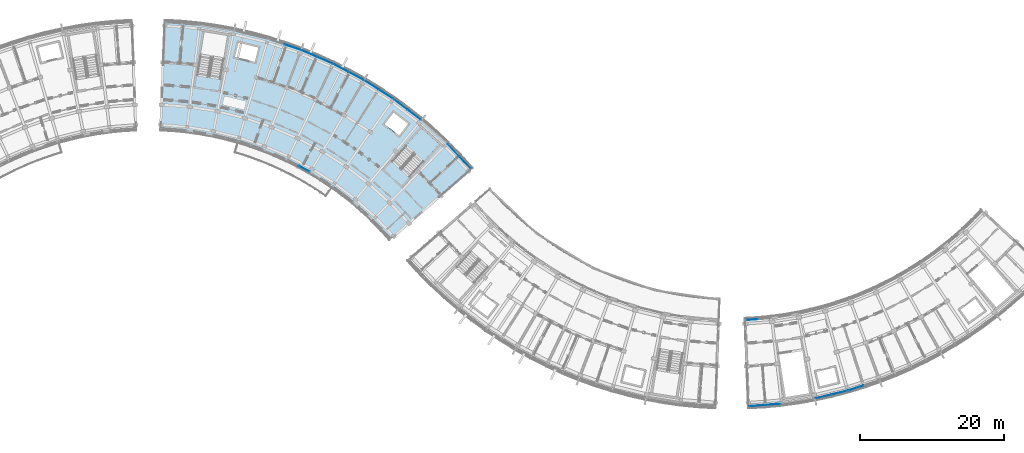
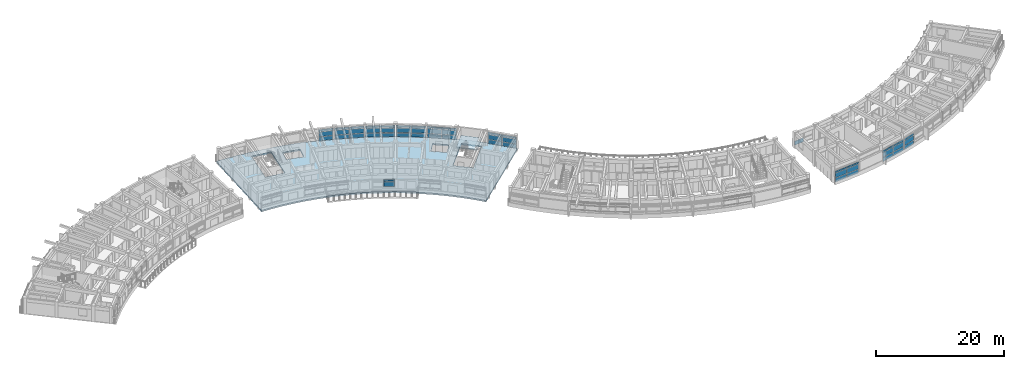
# One storey, part 24 of 54: 51 plates, 2 slabs, 12 elements without a shape of their own.
"""IFC4 building model written with IfcOpenShell, lengths in metres."""

import ifcopenshell
import ifcopenshell.guid

model = None  # the IFC model being written
_history = None  # IfcOwnerHistory: only IFC2X3 demands one
_inside = {}  # id of a spatial element -> (the spatial element, [elements in it])
_under = {}  # id of a project, library or spatial element -> (it, [spatial elements below it])
_declared = {}  # id of a project -> (the project, [libraries it declares])
_typed = {}  # id of a type object -> (the type object, [elements of that type])
_made_of = {}  # id of a material, layer set ... -> (it, [elements and type objects made of it])


def new_model(schema):
    """Start an empty IFC model of exactly this schema.

    Asked for "IFC4X3", IfcOpenShell would pick the latest addendum, in which some entities
    have other attributes; the version numbers below select the first issue.
    IFC2X3 requires an IfcOwnerHistory on every rooted entity: one is made here for all.
    """
    global model, _history
    if schema == "IFC4X3":
        model = ifcopenshell.file(schema_version=(4, 3, 0, 0))
    else:
        model = ifcopenshell.file(schema=schema)
    _inside.clear()
    _under.clear()
    _declared.clear()
    _typed.clear()
    _made_of.clear()
    _history = None
    if model.schema == "IFC2X3":
        org = make("IfcOrganization", Name="unknown")
        user = make(
            "IfcPersonAndOrganization",
            ThePerson=make("IfcPerson", FamilyName="unknown"),
            TheOrganization=org,
        )
        app = make(
            "IfcApplication",
            ApplicationDeveloper=org,
            Version="unknown",
            ApplicationFullName="unknown",
            ApplicationIdentifier="unknown",
        )
        _history = make(
            "IfcOwnerHistory",
            OwningUser=user,
            OwningApplication=app,
            ChangeAction="ADDED",
            CreationDate=0,
        )
    return model


def make(cls, **values):
    """One entity of the class cls with the attributes given. An attribute that is None is left unset."""
    return model.create_entity(
        cls, **{name: value for name, value in values.items() if value is not None}
    )


def rooted(cls, **values):
    """An entity with a GlobalId (a new one), such as an element, a storey or a relation."""
    return make(cls, GlobalId=ifcopenshell.guid.new(), OwnerHistory=_history, **values)


def si_unit(unit_type, name, prefix=None):
    """IfcSIUnit, for example si_unit("LENGTHUNIT", "METRE", prefix="MILLI")."""
    return make("IfcSIUnit", UnitType=unit_type, Prefix=prefix, Name=name)


def assignment(units):
    """IfcUnitAssignment: the units of a project."""
    return None if units is None else make("IfcUnitAssignment", Units=units)


def point(xyz):
    """IfcCartesianPoint."""
    return None if xyz is None else make("IfcCartesianPoint", Coordinates=xyz)


def direction(xyz):
    """IfcDirection."""
    return None if xyz is None else make("IfcDirection", DirectionRatios=xyz)


def frame(location, z_axis=None, x_axis=None):
    """IfcAxis2Placement3D, a coordinate frame: its origin and axes. An axis left out is left unset."""
    return make(
        "IfcAxis2Placement3D",
        Location=point(location),
        Axis=direction(z_axis),
        RefDirection=direction(x_axis),
    )


def frame_2d(location, x_axis=None):
    """IfcAxis2Placement2D, a coordinate frame in the plane: its origin and x axis."""
    return make(
        "IfcAxis2Placement2D", Location=point(location), RefDirection=direction(x_axis)
    )


def origin():
    """The frame at (0, 0, 0) with its axes left unset."""
    return frame((0.0, 0.0, 0.0))


def origin_2d():
    """The frame at (0, 0) in the plane with its x axis left unset."""
    return frame_2d((0.0, 0.0))


def place(relative_to, where):
    """IfcLocalPlacement: puts the frame where relative to a parent placement (None: the world)."""
    return make(
        "IfcLocalPlacement", PlacementRelTo=relative_to, RelativePlacement=where
    )


def context(
    kind, dimensions, precision=None, world=None, true_north=None, identifier=None
):
    """IfcGeometricRepresentationContext, for example the 3D "Model" context."""
    return make(
        "IfcGeometricRepresentationContext",
        ContextIdentifier=identifier,
        ContextType=kind,
        CoordinateSpaceDimension=dimensions,
        Precision=precision,
        WorldCoordinateSystem=world,
        TrueNorth=true_north,
    )


def subcontext(parent, identifier, kind, view, scale=None):
    """IfcGeometricRepresentationSubContext, for example "Body" below "Model"."""
    return make(
        "IfcGeometricRepresentationSubContext",
        ContextIdentifier=identifier,
        ContextType=kind,
        ParentContext=parent,
        TargetScale=scale,
        TargetView=view,
    )


def project(units=None, contexts=None):
    """IfcProject with its units and contexts."""
    return rooted(
        "IfcProject",
        Name="project",
        RepresentationContexts=contexts,
        UnitsInContext=assignment(units),
    )


def spatial(cls, under=None, at=None, **own):
    """A site, building, storey or space (cls), placed at a placement, below another one or the project."""
    s = rooted(cls, ObjectPlacement=at, **own)
    if under is not None:
        _under.setdefault(under.id(), (under, []))[1].append(s)
    return s


def polyline(points):
    """IfcPolyline through the points."""
    return make("IfcPolyline", Points=[point(p) for p in points])


def profile(cls, at=None, kind="AREA", **sizes):
    """A parametric profile (cls). Its sizes go by their IFC names, for example OverallWidth=200.0."""
    return make(cls, ProfileType=kind, Position=at, **sizes)


def rectangle(**sizes):
    """IfcRectangleProfileDef."""
    return profile("IfcRectangleProfileDef", **sizes)


def outline(outer, holes=None, kind="AREA"):
    """IfcArbitraryClosedProfileDef: a profile drawn as a closed curve; with holes, ...WithVoids."""
    if holes is None:
        return make("IfcArbitraryClosedProfileDef", ProfileType=kind, OuterCurve=outer)
    return make(
        "IfcArbitraryProfileDefWithVoids",
        ProfileType=kind,
        OuterCurve=outer,
        InnerCurves=holes,
    )


def extrude(swept, where, along, depth):
    """IfcExtrudedAreaSolid: the profile swept, set in the frame where, extruded along a direction by depth."""
    return make(
        "IfcExtrudedAreaSolid",
        SweptArea=swept,
        Position=where,
        ExtrudedDirection=direction(along),
        Depth=depth,
    )


def shape(context_of_items, identifier, shape_type, items):
    """IfcShapeRepresentation: the items that make up one representation, for example the "Body"."""
    return make(
        "IfcShapeRepresentation",
        ContextOfItems=context_of_items,
        RepresentationIdentifier=identifier,
        RepresentationType=shape_type,
        Items=items,
    )


def material(Name=None, Category=None):
    """IfcMaterial."""
    return make("IfcMaterial", Name=Name, Category=Category)


def layer(
    of_material, thickness, ventilated=None, Name=None, Category=None, Priority=None
):
    """IfcMaterialLayer: one layer of a wall or slab, of a material (None: an air gap)."""
    return make(
        "IfcMaterialLayer",
        Material=of_material,
        LayerThickness=thickness,
        IsVentilated=ventilated,
        Name=Name,
        Category=Category,
        Priority=Priority,
    )


def layer_set(layers, Name=None):
    """IfcMaterialLayerSet."""
    return make("IfcMaterialLayerSet", MaterialLayers=layers, LayerSetName=Name)


def made_of(thing, what):
    """Note that an element or type object is made of a material, layer set ...; save() writes the relation."""
    if what is not None:
        _made_of.setdefault(what.id(), (what, []))[1].append(thing)
    return thing


def type_object(cls, material=None, **own):
    """A type object (cls), such as IfcWallType, which elements share."""
    return made_of(rooted(cls, **own), material)


def element(
    cls,
    number,
    at=None,
    inside=None,
    cuts=None,
    type_object=None,
    material=None,
    context=None,
    identifier="Body",
    shape_type=None,
    held_by="IfcProductDefinitionShape",
    body=None,
    shapes=None,
    **own,
):
    """One element of the class cls, such as IfcWall. Its Tag is "e" and its number.

    at: its placement. inside: the storey or other place that contains it. cuts: it is an
    opening in that element (IfcRelVoidsElement). A single representation is given by context,
    identifier, shape_type and body (its items); several are given by shapes. held_by: the class
    of the entity that holds the representations. save() writes the other relations.
    """
    e = rooted(cls, Tag="e%d" % number, ObjectPlacement=at, **own)
    if body is not None:
        shapes = [shape(context, identifier, shape_type, body)]
    if shapes is not None:
        e.Representation = make(held_by, Representations=shapes)
    if inside is not None:
        _inside.setdefault(inside.id(), (inside, []))[1].append(e)
    if cuts is not None:
        rooted(
            "IfcRelVoidsElement", RelatingBuildingElement=cuts, RelatedOpeningElement=e
        )
    if type_object is not None:
        _typed.setdefault(type_object.id(), (type_object, []))[1].append(e)
    return made_of(e, material)


def aggregate(whole, parts):
    """IfcRelAggregates: a whole, such as a stair, and the parts it consists of."""
    return rooted("IfcRelAggregates", RelatingObject=whole, RelatedObjects=parts)


def save(model, path):
    """Write the relations noted so far, then the file.

    IfcRelAggregates (storeys below a building ...), IfcRelContainedInSpatialStructure (elements
    in a storey), IfcRelDefinesByType, IfcRelAssociatesMaterial and IfcRelDeclares: one each for
    every whole, place, type object, material and project.
    """
    for whole, parts in _under.values():
        aggregate(whole, parts)
    for where, things in _inside.values():
        rooted(
            "IfcRelContainedInSpatialStructure",
            RelatedElements=things,
            RelatingStructure=where,
        )
    for kind, things in _typed.values():
        rooted("IfcRelDefinesByType", RelatedObjects=things, RelatingType=kind)
    for what, things in _made_of.values():
        rooted("IfcRelAssociatesMaterial", RelatedObjects=things, RelatingMaterial=what)
    for by, libraries in _declared.values():
        rooted("IfcRelDeclares", RelatingContext=by, RelatedDefinitions=libraries)
    model.write(path)


model = new_model("IFC4")

# Units and contexts
model_context = context("Model", 3, precision=1e-05, world=origin(), true_north=direction((0.0, 1.0)))
body_context = subcontext(model_context, "Body", "Model", "MODEL_VIEW")
ifc_project = project(units=[si_unit("LENGTHUNIT", "METRE"), si_unit("AREAUNIT", "SQUARE_METRE"), si_unit("VOLUMEUNIT", "CUBIC_METRE"), si_unit("PLANEANGLEUNIT", "RADIAN"), si_unit("MASSUNIT", "GRAM", prefix="KILO")], contexts=[model_context])

# Site, building, storey
site_placement = place(None, origin())
site = spatial("IfcSite", under=ifc_project, at=site_placement, CompositionType="ELEMENT")
building_placement = place(site_placement, origin())
building = spatial("IfcBuilding", under=site, at=building_placement, Name="Zimvara Arc Housing Community", CompositionType="ELEMENT")
storey_placement = place(building_placement, frame((0.0, 0.0, 23.60009765625)))
storey = spatial("IfcBuildingStorey", under=building, at=storey_placement, Name="L07", CompositionType="ELEMENT", Elevation=23.60009765625)

# Curtain wall, plates
ifc_material_1 = material(Name="Anodised Aluminium AW-6063", Category="aluminium")
curtain_wall_type_1 = type_object("IfcCurtainWallType", Name="CW-SYS-08", PredefinedType="USERDEFINED", material=ifc_material_1)
curtain_wall_1_placement = place(storey_placement, origin())
curtain_wall_1 = element("IfcCurtainWall", 1, at=curtain_wall_1_placement, inside=storey, type_object=curtain_wall_type_1, Name="cw:blkB:L07:out:b6", ObjectType="CURTAIN WALL", PredefinedType="USERDEFINED")
ifc_material_2 = material(Name="Pale-Gold Anodised Aluminium Spandrel Panel", Category="aluminium")
ifc_layer_1 = layer(ifc_material_2, 0.035888671875)
ifc_layer_set_1 = layer_set([ifc_layer_1], Name="Pale-Gold Anodised Aluminium Spandrel Panel")
plate_type_1 = type_object("IfcPlateType", Name="CWP-GLD-36", PredefinedType="CURTAIN_PANEL", material=ifc_layer_set_1)
plate_1_placement = place(storey_placement, frame((76.0009765625, 95.1005859375, 0.06494140625), z_axis=(0.0, 0.0, 1.0), x_axis=(0.842264410931, -0.539064617721, 0.0)))
plate_1 = element("IfcPlate", 2, at=plate_1_placement, type_object=plate_type_1, Name="CW08 panel 1.1", PredefinedType="CURTAIN_PANEL", context=body_context, shape_type="SweptSolid", body=[
    extrude(rectangle(XDim=2.266845703125, YDim=0.035888671875, at=origin_2d()), origin(), (0.0, 0.0, 1.0), 0.75244140625),
])
plate_2_placement = place(storey_placement, frame((76.0009765625, 95.1005859375, 0.88232421875), z_axis=(0.0, 0.0, 1.0), x_axis=(0.842264410931, -0.539064617721, 0.0)))
plate_2 = element("IfcPlate", 3, at=plate_2_placement, type_object=plate_type_1, Name="CW08 panel 1.2", PredefinedType="CURTAIN_PANEL", context=body_context, shape_type="SweptSolid", body=[
    extrude(rectangle(XDim=2.266845703125, YDim=0.035888671875, at=origin_2d()), origin(), (0.0, 0.0, 1.0), 0.885009765625),
])
plate_3_placement = place(storey_placement, frame((76.0009765625, 95.1005859375, 1.832275390625), z_axis=(0.0, 0.0, 1.0), x_axis=(0.842264410931, -0.539064617721, 0.0)))
plate_3 = element("IfcPlate", 4, at=plate_3_placement, type_object=plate_type_1, Name="CW08 panel 1.3", PredefinedType="CURTAIN_PANEL", context=body_context, shape_type="SweptSolid", body=[
    extrude(rectangle(XDim=2.266845703125, YDim=0.035888671875, at=origin_2d()), origin(), (0.0, 0.0, 1.0), 0.3525390625),
])
plate_4_placement = place(storey_placement, frame((77.965087890625, 93.843505859375, 0.06494140625), z_axis=(0.0, 0.0, 1.0), x_axis=(0.842264410931, -0.539064617721, 0.0)))
plate_4 = element("IfcPlate", 5, at=plate_4_placement, type_object=plate_type_1, Name="CW08 panel 2.1", PredefinedType="CURTAIN_PANEL", context=body_context, shape_type="SweptSolid", body=[
    extrude(rectangle(XDim=2.266845703125, YDim=0.035888671875, at=origin_2d()), origin(), (0.0, 0.0, 1.0), 0.75244140625),
])
plate_5_placement = place(storey_placement, frame((77.965087890625, 93.843505859375, 0.88232421875), z_axis=(0.0, 0.0, 1.0), x_axis=(0.842264410931, -0.539064617721, 0.0)))
plate_5 = element("IfcPlate", 6, at=plate_5_placement, type_object=plate_type_1, Name="CW08 panel 2.2", PredefinedType="CURTAIN_PANEL", context=body_context, shape_type="SweptSolid", body=[
    extrude(rectangle(XDim=2.266845703125, YDim=0.035888671875, at=origin_2d()), origin(), (0.0, 0.0, 1.0), 0.885009765625),
])
plate_6_placement = place(storey_placement, frame((77.965087890625, 93.843505859375, 1.832275390625), z_axis=(0.0, 0.0, 1.0), x_axis=(0.842264410931, -0.539064617721, 0.0)))
plate_6 = element("IfcPlate", 7, at=plate_6_placement, type_object=plate_type_1, Name="CW08 panel 2.3", PredefinedType="CURTAIN_PANEL", context=body_context, shape_type="SweptSolid", body=[
    extrude(rectangle(XDim=2.266845703125, YDim=0.035888671875, at=origin_2d()), origin(), (0.0, 0.0, 1.0), 0.3525390625),
])
aggregate(curtain_wall_1, [plate_1, plate_2, plate_3, plate_4, plate_5, plate_6])

# Curtain wall, plate
curtain_wall_2_placement = place(storey_placement, origin())
curtain_wall_2 = element("IfcCurtainWall", 8, at=curtain_wall_2_placement, inside=storey, type_object=curtain_wall_type_1, Name="cw:blkD:L07:in:b0", ObjectType="CURTAIN WALL", PredefinedType="USERDEFINED")
plate_7_placement = place(storey_placement, frame((128.7744140625, 62.55078125, 0.06494140625), z_axis=(0.0, 0.0, 1.0), x_axis=(0.996985524455, 0.077587782714, 0.0)))
plate_7 = element("IfcPlate", 9, at=plate_7_placement, type_object=plate_type_1, Name="CW08 panel 1.1", PredefinedType="CURTAIN_PANEL", context=body_context, shape_type="SweptSolid", body=[
    extrude(rectangle(XDim=1.7041015625, YDim=0.035888671875, at=origin_2d()), origin(), (0.0, 0.0, 1.0), 0.75244140625),
])
aggregate(curtain_wall_2, [plate_7])

# Curtain wall, plates
ifc_material_3 = material(Name="Anodised Aluminium AW-6063", Category="aluminium")
curtain_wall_type_2 = type_object("IfcCurtainWallType", Name="CW-SYS-05", PredefinedType="USERDEFINED", material=ifc_material_3)
curtain_wall_3_placement = place(storey_placement, origin())
curtain_wall_3 = element("IfcCurtainWall", 10, at=curtain_wall_3_placement, inside=storey, type_object=curtain_wall_type_2, Name="cw:blkB:L07:out:b4", ObjectType="CURTAIN WALL", PredefinedType="USERDEFINED")
ifc_material_4 = material(Name="Solar Control Low-E Double Glazing", Category="glass")
ifc_layer_2 = layer(ifc_material_4, 0.02392578125)
ifc_layer_set_2 = layer_set([ifc_layer_2], Name="Solar Control Low-E Double Glazing")
plate_type_2 = type_object("IfcPlateType", Name="CWP-GLZ-24", PredefinedType="CURTAIN_PANEL", material=ifc_layer_set_2)
plate_8_placement = place(storey_placement, frame((67.358642578125, 99.46875, 0.06494140625), z_axis=(0.0, 0.0, 1.0), x_axis=(0.918722299363, -0.394904211998, 0.0)))
plate_8 = element("IfcPlate", 11, at=plate_8_placement, type_object=plate_type_2, Name="CW05 panel 1.1", PredefinedType="CURTAIN_PANEL", context=body_context, shape_type="SweptSolid", body=[
    extrude(rectangle(XDim=2.266845703125, YDim=0.02392578125, at=origin_2d()), origin(), (0.0, 0.0, 1.0), 0.75244140625),
])
plate_9_placement = place(storey_placement, frame((67.358642578125, 99.46875, 0.88232421875), z_axis=(0.0, 0.0, 1.0), x_axis=(0.918722299363, -0.394904211998, 0.0)))
plate_9 = element("IfcPlate", 12, at=plate_9_placement, type_object=plate_type_2, Name="CW05 panel 1.2", PredefinedType="CURTAIN_PANEL", context=body_context, shape_type="SweptSolid", body=[
    extrude(rectangle(XDim=2.266845703125, YDim=0.02392578125, at=origin_2d()), origin(), (0.0, 0.0, 1.0), 0.885009765625),
])
plate_10_placement = place(storey_placement, frame((67.358642578125, 99.46875, 1.832275390625), z_axis=(0.0, 0.0, 1.0), x_axis=(0.918722299363, -0.394904211998, 0.0)))
plate_10 = element("IfcPlate", 13, at=plate_10_placement, type_object=plate_type_2, Name="CW05 panel 1.3", PredefinedType="CURTAIN_PANEL", context=body_context, shape_type="SweptSolid", body=[
    extrude(rectangle(XDim=2.266845703125, YDim=0.02392578125, at=origin_2d()), origin(), (0.0, 0.0, 1.0), 0.3525390625),
])
plate_11_placement = place(storey_placement, frame((69.5009765625, 98.5478515625, 0.06494140625), z_axis=(0.0, 0.0, 1.0), x_axis=(0.918722299363, -0.394904211998, 0.0)))
plate_11 = element("IfcPlate", 14, at=plate_11_placement, type_object=plate_type_2, Name="CW05 panel 2.1", PredefinedType="CURTAIN_PANEL", context=body_context, shape_type="SweptSolid", body=[
    extrude(rectangle(XDim=2.266845703125, YDim=0.02392578125, at=origin_2d()), origin(), (0.0, 0.0, 1.0), 0.75244140625),
])
plate_12_placement = place(storey_placement, frame((69.5009765625, 98.5478515625, 0.88232421875), z_axis=(0.0, 0.0, 1.0), x_axis=(0.918722299363, -0.394904211998, 0.0)))
plate_12 = element("IfcPlate", 15, at=plate_12_placement, type_object=plate_type_2, Name="CW05 panel 2.2", PredefinedType="CURTAIN_PANEL", context=body_context, shape_type="SweptSolid", body=[
    extrude(rectangle(XDim=2.266845703125, YDim=0.02392578125, at=origin_2d()), origin(), (0.0, 0.0, 1.0), 0.885009765625),
])
plate_13_placement = place(storey_placement, frame((69.5009765625, 98.5478515625, 1.832275390625), z_axis=(0.0, 0.0, 1.0), x_axis=(0.918722299363, -0.394904211998, 0.0)))
plate_13 = element("IfcPlate", 16, at=plate_13_placement, type_object=plate_type_2, Name="CW05 panel 2.3", PredefinedType="CURTAIN_PANEL", context=body_context, shape_type="SweptSolid", body=[
    extrude(rectangle(XDim=2.266845703125, YDim=0.02392578125, at=origin_2d()), origin(), (0.0, 0.0, 1.0), 0.3525390625),
])
aggregate(curtain_wall_3, [plate_8, plate_9, plate_10, plate_11, plate_12, plate_13])

ifc_material_5 = material(Name="Anodised Aluminium AW-6063", Category="aluminium")
curtain_wall_type_3 = type_object("IfcCurtainWallType", Name="CW-SYS-01", PredefinedType="USERDEFINED", material=ifc_material_5)
curtain_wall_4_placement = place(storey_placement, origin())
curtain_wall_4 = element("IfcCurtainWall", 17, at=curtain_wall_4_placement, inside=storey, type_object=curtain_wall_type_3, Name="cw:blkB:L07:out:b7", ObjectType="CURTAIN WALL", PredefinedType="USERDEFINED")
plate_14_placement = place(storey_placement, frame((80.026123046875, 92.40234375, 0.06494140625), z_axis=(0.0, 0.0, 1.0), x_axis=(0.795473999177, -0.60598771987, 0.0)))
plate_14 = element("IfcPlate", 18, at=plate_14_placement, type_object=plate_type_2, Name="CW01 panel 1.1", PredefinedType="CURTAIN_PANEL", context=body_context, shape_type="SweptSolid", body=[
    extrude(rectangle(XDim=2.266845703125, YDim=0.02392578125, at=origin_2d()), origin(), (0.0, 0.0, 1.0), 0.75244140625),
])
plate_15_placement = place(storey_placement, frame((80.026123046875, 92.40234375, 0.88232421875), z_axis=(0.0, 0.0, 1.0), x_axis=(0.795473999177, -0.60598771987, 0.0)))
plate_15 = element("IfcPlate", 19, at=plate_15_placement, type_object=plate_type_2, Name="CW01 panel 1.2", PredefinedType="CURTAIN_PANEL", context=body_context, shape_type="SweptSolid", body=[
    extrude(rectangle(XDim=2.266845703125, YDim=0.02392578125, at=origin_2d()), origin(), (0.0, 0.0, 1.0), 0.885009765625),
])
plate_16_placement = place(storey_placement, frame((80.026123046875, 92.40234375, 1.832275390625), z_axis=(0.0, 0.0, 1.0), x_axis=(0.795473999177, -0.60598771987, 0.0)))
plate_16 = element("IfcPlate", 20, at=plate_16_placement, type_object=plate_type_2, Name="CW01 panel 1.3", PredefinedType="CURTAIN_PANEL", context=body_context, shape_type="SweptSolid", body=[
    extrude(rectangle(XDim=2.266845703125, YDim=0.02392578125, at=origin_2d()), origin(), (0.0, 0.0, 1.0), 0.3525390625),
])
plate_17_placement = place(storey_placement, frame((81.881103515625, 90.9892578125, 0.06494140625), z_axis=(0.0, 0.0, 1.0), x_axis=(0.795473999177, -0.60598771987, 0.0)))
plate_17 = element("IfcPlate", 21, at=plate_17_placement, type_object=plate_type_2, Name="CW01 panel 2.1", PredefinedType="CURTAIN_PANEL", context=body_context, shape_type="SweptSolid", body=[
    extrude(rectangle(XDim=2.266845703125, YDim=0.02392578125, at=origin_2d()), origin(), (0.0, 0.0, 1.0), 0.75244140625),
])
plate_18_placement = place(storey_placement, frame((81.881103515625, 90.9892578125, 0.88232421875), z_axis=(0.0, 0.0, 1.0), x_axis=(0.795473999177, -0.60598771987, 0.0)))
plate_18 = element("IfcPlate", 22, at=plate_18_placement, type_object=plate_type_2, Name="CW01 panel 2.2", PredefinedType="CURTAIN_PANEL", context=body_context, shape_type="SweptSolid", body=[
    extrude(rectangle(XDim=2.266845703125, YDim=0.02392578125, at=origin_2d()), origin(), (0.0, 0.0, 1.0), 0.885009765625),
])
plate_19_placement = place(storey_placement, frame((81.881103515625, 90.9892578125, 1.832275390625), z_axis=(0.0, 0.0, 1.0), x_axis=(0.795473999177, -0.60598771987, 0.0)))
plate_19 = element("IfcPlate", 23, at=plate_19_placement, type_object=plate_type_2, Name="CW01 panel 2.3", PredefinedType="CURTAIN_PANEL", context=body_context, shape_type="SweptSolid", body=[
    extrude(rectangle(XDim=2.266845703125, YDim=0.02392578125, at=origin_2d()), origin(), (0.0, 0.0, 1.0), 0.3525390625),
])
aggregate(curtain_wall_4, [plate_14, plate_15, plate_16, plate_17, plate_18, plate_19])

curtain_wall_5_placement = place(storey_placement, origin())
curtain_wall_5 = element("IfcCurtainWall", 24, at=curtain_wall_5_placement, inside=storey, type_object=curtain_wall_type_3, Name="cw:blkD:L07:out:b2", ObjectType="CURTAIN WALL", PredefinedType="USERDEFINED")
plate_20_placement = place(storey_placement, frame((138.6923828125, 51.892822265625, 0.06494140625), z_axis=(0.0, 0.0, 1.0), x_axis=(0.97257325149, 0.232596798101, 0.0)))
plate_20 = element("IfcPlate", 25, at=plate_20_placement, type_object=plate_type_2, Name="CW01 panel 1.1", PredefinedType="CURTAIN_PANEL", context=body_context, shape_type="SweptSolid", body=[
    extrude(rectangle(XDim=2.173828125, YDim=0.02392578125, at=origin_2d()), origin(), (0.0, 0.0, 1.0), 0.75244140625),
])
plate_21_placement = place(storey_placement, frame((138.6923828125, 51.892822265625, 0.88232421875), z_axis=(0.0, 0.0, 1.0), x_axis=(0.97257325149, 0.232596798101, 0.0)))
plate_21 = element("IfcPlate", 26, at=plate_21_placement, type_object=plate_type_2, Name="CW01 panel 1.2", PredefinedType="CURTAIN_PANEL", context=body_context, shape_type="SweptSolid", body=[
    extrude(rectangle(XDim=2.173828125, YDim=0.02392578125, at=origin_2d()), origin(), (0.0, 0.0, 1.0), 0.885009765625),
])
plate_22_placement = place(storey_placement, frame((138.6923828125, 51.892822265625, 1.832275390625), z_axis=(0.0, 0.0, 1.0), x_axis=(0.97257325149, 0.232596798101, 0.0)))
plate_22 = element("IfcPlate", 27, at=plate_22_placement, type_object=plate_type_2, Name="CW01 panel 1.3", PredefinedType="CURTAIN_PANEL", context=body_context, shape_type="SweptSolid", body=[
    extrude(rectangle(XDim=2.173828125, YDim=0.02392578125, at=origin_2d()), origin(), (0.0, 0.0, 1.0), 0.3525390625),
])
plate_23_placement = place(storey_placement, frame((140.86962890625, 52.41357421875, 0.06494140625), z_axis=(0.0, 0.0, 1.0), x_axis=(0.97257325149, 0.232596798101, 0.0)))
plate_23 = element("IfcPlate", 28, at=plate_23_placement, type_object=plate_type_2, Name="CW01 panel 2.1", PredefinedType="CURTAIN_PANEL", context=body_context, shape_type="SweptSolid", body=[
    extrude(rectangle(XDim=2.173828125, YDim=0.02392578125, at=origin_2d()), origin(), (0.0, 0.0, 1.0), 0.75244140625),
])
plate_24_placement = place(storey_placement, frame((140.86962890625, 52.41357421875, 0.88232421875), z_axis=(0.0, 0.0, 1.0), x_axis=(0.97257325149, 0.232596798101, 0.0)))
plate_24 = element("IfcPlate", 29, at=plate_24_placement, type_object=plate_type_2, Name="CW01 panel 2.2", PredefinedType="CURTAIN_PANEL", context=body_context, shape_type="SweptSolid", body=[
    extrude(rectangle(XDim=2.173828125, YDim=0.02392578125, at=origin_2d()), origin(), (0.0, 0.0, 1.0), 0.885009765625),
])
plate_25_placement = place(storey_placement, frame((140.86962890625, 52.41357421875, 1.832275390625), z_axis=(0.0, 0.0, 1.0), x_axis=(0.97257325149, 0.232596798101, 0.0)))
plate_25 = element("IfcPlate", 30, at=plate_25_placement, type_object=plate_type_2, Name="CW01 panel 2.3", PredefinedType="CURTAIN_PANEL", context=body_context, shape_type="SweptSolid", body=[
    extrude(rectangle(XDim=2.173828125, YDim=0.02392578125, at=origin_2d()), origin(), (0.0, 0.0, 1.0), 0.3525390625),
])
aggregate(curtain_wall_5, [plate_20, plate_21, plate_22, plate_23, plate_24, plate_25])

ifc_material_6 = material(Name="Anodised Aluminium AW-6063", Category="aluminium")
curtain_wall_type_4 = type_object("IfcCurtainWallType", Name="CW-SYS-06", PredefinedType="USERDEFINED", material=ifc_material_6)
curtain_wall_6_placement = place(storey_placement, origin())
curtain_wall_6 = element("IfcCurtainWall", 31, at=curtain_wall_6_placement, inside=storey, type_object=curtain_wall_type_4, Name="cw:blkB:L07:out:b5", ObjectType="CURTAIN WALL", PredefinedType="USERDEFINED")
ifc_material_7 = material(Name="Solar Control Low-E Double Glazing", Category="glass")
ifc_layer_3 = layer(ifc_material_7, 0.028076171875)
ifc_layer_set_3 = layer_set([ifc_layer_3], Name="Solar Control Low-E Double Glazing")
plate_type_3 = type_object("IfcPlateType", Name="CWP-GLZ-28", PredefinedType="CURTAIN_PANEL", material=ifc_layer_set_3)
plate_26_placement = place(storey_placement, frame((71.76904296875, 97.461181640625, 0.06494140625), z_axis=(0.0, 0.0, 1.0), x_axis=(0.883438614651, -0.468546917761, 0.0)))
plate_26 = element("IfcPlate", 32, at=plate_26_placement, type_object=plate_type_3, Name="CW06 panel 1.1", PredefinedType="CURTAIN_PANEL", context=body_context, shape_type="SweptSolid", body=[
    extrude(rectangle(XDim=2.266845703125, YDim=0.028076171875, at=origin_2d()), origin(), (0.0, 0.0, 1.0), 0.75244140625),
])
plate_27_placement = place(storey_placement, frame((71.76904296875, 97.461181640625, 0.88232421875), z_axis=(0.0, 0.0, 1.0), x_axis=(0.883438614651, -0.468546917761, 0.0)))
plate_27 = element("IfcPlate", 33, at=plate_27_placement, type_object=plate_type_3, Name="CW06 panel 1.2", PredefinedType="CURTAIN_PANEL", context=body_context, shape_type="SweptSolid", body=[
    extrude(rectangle(XDim=2.266845703125, YDim=0.028076171875, at=origin_2d()), origin(), (0.0, 0.0, 1.0), 0.885009765625),
])
plate_28_placement = place(storey_placement, frame((71.76904296875, 97.461181640625, 1.832275390625), z_axis=(0.0, 0.0, 1.0), x_axis=(0.883438614651, -0.468546917761, 0.0)))
plate_28 = element("IfcPlate", 34, at=plate_28_placement, type_object=plate_type_3, Name="CW06 panel 1.3", PredefinedType="CURTAIN_PANEL", context=body_context, shape_type="SweptSolid", body=[
    extrude(rectangle(XDim=2.266845703125, YDim=0.028076171875, at=origin_2d()), origin(), (0.0, 0.0, 1.0), 0.3525390625),
])
plate_29_placement = place(storey_placement, frame((73.8291015625, 96.36865234375, 0.06494140625), z_axis=(0.0, 0.0, 1.0), x_axis=(0.883438614651, -0.468546917761, 0.0)))
plate_29 = element("IfcPlate", 35, at=plate_29_placement, type_object=plate_type_3, Name="CW06 panel 2.1", PredefinedType="CURTAIN_PANEL", context=body_context, shape_type="SweptSolid", body=[
    extrude(rectangle(XDim=2.266845703125, YDim=0.028076171875, at=origin_2d()), origin(), (0.0, 0.0, 1.0), 0.75244140625),
])
plate_30_placement = place(storey_placement, frame((73.8291015625, 96.36865234375, 0.88232421875), z_axis=(0.0, 0.0, 1.0), x_axis=(0.883438614651, -0.468546917761, 0.0)))
plate_30 = element("IfcPlate", 36, at=plate_30_placement, type_object=plate_type_3, Name="CW06 panel 2.2", PredefinedType="CURTAIN_PANEL", context=body_context, shape_type="SweptSolid", body=[
    extrude(rectangle(XDim=2.266845703125, YDim=0.028076171875, at=origin_2d()), origin(), (0.0, 0.0, 1.0), 0.885009765625),
])
plate_31_placement = place(storey_placement, frame((73.8291015625, 96.36865234375, 1.832275390625), z_axis=(0.0, 0.0, 1.0), x_axis=(0.883438614651, -0.468546917761, 0.0)))
plate_31 = element("IfcPlate", 37, at=plate_31_placement, type_object=plate_type_3, Name="CW06 panel 2.3", PredefinedType="CURTAIN_PANEL", context=body_context, shape_type="SweptSolid", body=[
    extrude(rectangle(XDim=2.266845703125, YDim=0.028076171875, at=origin_2d()), origin(), (0.0, 0.0, 1.0), 0.3525390625),
])
aggregate(curtain_wall_6, [plate_26, plate_27, plate_28, plate_29, plate_30, plate_31])

ifc_material_8 = material(Name="Anodised Aluminium AW-6063", Category="aluminium")
curtain_wall_type_5 = type_object("IfcCurtainWallType", Name="CW-SYS-03", PredefinedType="USERDEFINED", material=ifc_material_8)
curtain_wall_7_placement = place(storey_placement, origin())
curtain_wall_7 = element("IfcCurtainWall", 38, at=curtain_wall_7_placement, inside=storey, type_object=curtain_wall_type_5, Name="cw:blkB:L07:out:b3", ObjectType="CURTAIN WALL", PredefinedType="USERDEFINED")
ifc_material_9 = material(Name="Acoustic Laminated Solar Glazing", Category="glass")
ifc_layer_4 = layer(ifc_material_9, 0.031982421875)
ifc_layer_set_4 = layer_set([ifc_layer_4], Name="Acoustic Laminated Solar Glazing")
plate_type_4 = type_object("IfcPlateType", Name="CWP-GLZ-32", PredefinedType="CURTAIN_PANEL", material=ifc_layer_set_4)
plate_32_placement = place(storey_placement, frame((65.009521484375, 100.36669921875, 0.06494140625), z_axis=(0.0, 0.0, 1.0), x_axis=(0.947879647164, -0.318628583921, 0.0)))
plate_32 = element("IfcPlate", 39, at=plate_32_placement, type_object=plate_type_4, Name="CW03 panel 2.1", PredefinedType="CURTAIN_PANEL", context=body_context, shape_type="SweptSolid", body=[
    extrude(rectangle(XDim=2.266845703125, YDim=0.031982421875, at=origin_2d()), origin(), (0.0, 0.0, 1.0), 0.75244140625),
])
plate_33_placement = place(storey_placement, frame((65.009521484375, 100.36669921875, 0.88232421875), z_axis=(0.0, 0.0, 1.0), x_axis=(0.947879647164, -0.318628583921, 0.0)))
plate_33 = element("IfcPlate", 40, at=plate_33_placement, type_object=plate_type_4, Name="CW03 panel 2.2", PredefinedType="CURTAIN_PANEL", context=body_context, shape_type="SweptSolid", body=[
    extrude(rectangle(XDim=2.266845703125, YDim=0.031982421875, at=origin_2d()), origin(), (0.0, 0.0, 1.0), 0.885009765625),
])
plate_34_placement = place(storey_placement, frame((65.009521484375, 100.36669921875, 1.832275390625), z_axis=(0.0, 0.0, 1.0), x_axis=(0.947879647164, -0.318628583921, 0.0)))
plate_34 = element("IfcPlate", 41, at=plate_34_placement, type_object=plate_type_4, Name="CW03 panel 2.3", PredefinedType="CURTAIN_PANEL", context=body_context, shape_type="SweptSolid", body=[
    extrude(rectangle(XDim=2.266845703125, YDim=0.031982421875, at=origin_2d()), origin(), (0.0, 0.0, 1.0), 0.3525390625),
])
aggregate(curtain_wall_7, [plate_32, plate_33, plate_34])

ifc_material_10 = material(Name="Anodised Aluminium AW-6063", Category="aluminium")
curtain_wall_type_6 = type_object("IfcCurtainWallType", Name="CW-SYS-07", PredefinedType="USERDEFINED", material=ifc_material_10)
curtain_wall_8_placement = place(storey_placement, origin())
curtain_wall_8 = element("IfcCurtainWall", 42, at=curtain_wall_8_placement, inside=storey, type_object=curtain_wall_type_6, Name="cw:blkB:L07:in:b5", ObjectType="CURTAIN WALL", PredefinedType="USERDEFINED")
plate_35_placement = place(storey_placement, frame((66.653076171875, 83.48095703125, 0.88232421875), z_axis=(0.0, 0.0, 1.0), x_axis=(0.88343981815, -0.468544648573, 0.0)))
plate_35 = element("IfcPlate", 43, at=plate_35_placement, type_object=plate_type_4, Name="CW07 panel 2.2", PredefinedType="CURTAIN_PANEL", context=body_context, shape_type="SweptSolid", body=[
    extrude(rectangle(XDim=1.664306640625, YDim=0.031982421875, at=origin_2d()), origin(), (0.0, 0.0, 1.0), 0.885009765625),
])
plate_36_placement = place(storey_placement, frame((66.653076171875, 83.48095703125, 1.832275390625), z_axis=(0.0, 0.0, 1.0), x_axis=(0.88343981815, -0.468544648573, 0.0)))
plate_36 = element("IfcPlate", 44, at=plate_36_placement, type_object=plate_type_4, Name="CW07 panel 2.3", PredefinedType="CURTAIN_PANEL", context=body_context, shape_type="SweptSolid", body=[
    extrude(rectangle(XDim=1.664306640625, YDim=0.031982421875, at=origin_2d()), origin(), (0.0, 0.0, 1.0), 0.3525390625),
])
aggregate(curtain_wall_8, [plate_35, plate_36])

curtain_wall_9_placement = place(storey_placement, origin())
curtain_wall_9 = element("IfcCurtainWall", 45, at=curtain_wall_9_placement, inside=storey, type_object=curtain_wall_type_5, Name="cw:blkB:L07:out:b9", ObjectType="CURTAIN WALL", PredefinedType="USERDEFINED")
plate_37_placement = place(storey_placement, frame((87.350341796875, 86.068115234375, 0.06494140625), z_axis=(0.0, 0.0, 1.0), x_axis=(0.686326416495, -0.727293647725, 0.0)))
plate_37 = element("IfcPlate", 46, at=plate_37_placement, type_object=plate_type_4, Name="CW03 panel 1.1", PredefinedType="CURTAIN_PANEL", context=body_context, shape_type="SweptSolid", body=[
    extrude(rectangle(XDim=2.266845703125, YDim=0.031982421875, at=origin_2d()), origin(), (0.0, 0.0, 1.0), 0.75244140625),
])
plate_38_placement = place(storey_placement, frame((87.350341796875, 86.068115234375, 0.88232421875), z_axis=(0.0, 0.0, 1.0), x_axis=(0.686326416495, -0.727293647725, 0.0)))
plate_38 = element("IfcPlate", 47, at=plate_38_placement, type_object=plate_type_4, Name="CW03 panel 1.2", PredefinedType="CURTAIN_PANEL", context=body_context, shape_type="SweptSolid", body=[
    extrude(rectangle(XDim=2.266845703125, YDim=0.031982421875, at=origin_2d()), origin(), (0.0, 0.0, 1.0), 0.885009765625),
])
plate_39_placement = place(storey_placement, frame((87.350341796875, 86.068115234375, 1.832275390625), z_axis=(0.0, 0.0, 1.0), x_axis=(0.686326416495, -0.727293647725, 0.0)))
plate_39 = element("IfcPlate", 48, at=plate_39_placement, type_object=plate_type_4, Name="CW03 panel 1.3", PredefinedType="CURTAIN_PANEL", context=body_context, shape_type="SweptSolid", body=[
    extrude(rectangle(XDim=2.266845703125, YDim=0.031982421875, at=origin_2d()), origin(), (0.0, 0.0, 1.0), 0.3525390625),
])
plate_40_placement = place(storey_placement, frame((88.950927734375, 84.3720703125, 0.06494140625), z_axis=(0.0, 0.0, 1.0), x_axis=(0.686326416495, -0.727293647725, 0.0)))
plate_40 = element("IfcPlate", 49, at=plate_40_placement, type_object=plate_type_4, Name="CW03 panel 2.1", PredefinedType="CURTAIN_PANEL", context=body_context, shape_type="SweptSolid", body=[
    extrude(rectangle(XDim=2.266845703125, YDim=0.031982421875, at=origin_2d()), origin(), (0.0, 0.0, 1.0), 0.75244140625),
])
plate_41_placement = place(storey_placement, frame((88.950927734375, 84.3720703125, 0.88232421875), z_axis=(0.0, 0.0, 1.0), x_axis=(0.686326416495, -0.727293647725, 0.0)))
plate_41 = element("IfcPlate", 50, at=plate_41_placement, type_object=plate_type_4, Name="CW03 panel 2.2", PredefinedType="CURTAIN_PANEL", context=body_context, shape_type="SweptSolid", body=[
    extrude(rectangle(XDim=2.266845703125, YDim=0.031982421875, at=origin_2d()), origin(), (0.0, 0.0, 1.0), 0.885009765625),
])
plate_42_placement = place(storey_placement, frame((88.950927734375, 84.3720703125, 1.832275390625), z_axis=(0.0, 0.0, 1.0), x_axis=(0.686326416495, -0.727293647725, 0.0)))
plate_42 = element("IfcPlate", 51, at=plate_42_placement, type_object=plate_type_4, Name="CW03 panel 2.3", PredefinedType="CURTAIN_PANEL", context=body_context, shape_type="SweptSolid", body=[
    extrude(rectangle(XDim=2.266845703125, YDim=0.031982421875, at=origin_2d()), origin(), (0.0, 0.0, 1.0), 0.3525390625),
])
aggregate(curtain_wall_9, [plate_37, plate_38, plate_39, plate_40, plate_41, plate_42])

curtain_wall_10_placement = place(storey_placement, origin())
curtain_wall_10 = element("IfcCurtainWall", 52, at=curtain_wall_10_placement, inside=storey, type_object=curtain_wall_type_6, Name="cw:blkD:L07:out:b0", ObjectType="CURTAIN WALL", PredefinedType="USERDEFINED")
plate_43_placement = place(storey_placement, frame((129.4677734375, 50.61767578125, 0.06494140625), z_axis=(0.0, 0.0, 1.0), x_axis=(0.996985387849, 0.077589538059, 0.0)))
plate_43 = element("IfcPlate", 53, at=plate_43_placement, type_object=plate_type_4, Name="CW07 panel 1.1", PredefinedType="CURTAIN_PANEL", context=body_context, shape_type="SweptSolid", body=[
    extrude(rectangle(XDim=2.173828125, YDim=0.031982421875, at=origin_2d()), origin(), (0.0, 0.0, 1.0), 0.75244140625),
])
plate_44_placement = place(storey_placement, frame((129.4677734375, 50.61767578125, 0.88232421875), z_axis=(0.0, 0.0, 1.0), x_axis=(0.996985387849, 0.077589538059, 0.0)))
plate_44 = element("IfcPlate", 54, at=plate_44_placement, type_object=plate_type_4, Name="CW07 panel 1.2", PredefinedType="CURTAIN_PANEL", context=body_context, shape_type="SweptSolid", body=[
    extrude(rectangle(XDim=2.173828125, YDim=0.031982421875, at=origin_2d()), origin(), (0.0, 0.0, 1.0), 0.885009765625),
])
plate_45_placement = place(storey_placement, frame((129.4677734375, 50.61767578125, 1.832275390625), z_axis=(0.0, 0.0, 1.0), x_axis=(0.996985387849, 0.077589538059, 0.0)))
plate_45 = element("IfcPlate", 55, at=plate_45_placement, type_object=plate_type_4, Name="CW07 panel 1.3", PredefinedType="CURTAIN_PANEL", context=body_context, shape_type="SweptSolid", body=[
    extrude(rectangle(XDim=2.173828125, YDim=0.031982421875, at=origin_2d()), origin(), (0.0, 0.0, 1.0), 0.3525390625),
])
plate_46_placement = place(storey_placement, frame((131.69970703125, 50.79150390625, 0.06494140625), z_axis=(0.0, 0.0, 1.0), x_axis=(0.996985387849, 0.077589538059, 0.0)))
plate_46 = element("IfcPlate", 56, at=plate_46_placement, type_object=plate_type_4, Name="CW07 panel 2.1", PredefinedType="CURTAIN_PANEL", context=body_context, shape_type="SweptSolid", body=[
    extrude(rectangle(XDim=2.173828125, YDim=0.031982421875, at=origin_2d()), origin(), (0.0, 0.0, 1.0), 0.75244140625),
])
plate_47_placement = place(storey_placement, frame((131.69970703125, 50.79150390625, 0.88232421875), z_axis=(0.0, 0.0, 1.0), x_axis=(0.996985387849, 0.077589538059, 0.0)))
plate_47 = element("IfcPlate", 57, at=plate_47_placement, type_object=plate_type_4, Name="CW07 panel 2.2", PredefinedType="CURTAIN_PANEL", context=body_context, shape_type="SweptSolid", body=[
    extrude(rectangle(XDim=2.173828125, YDim=0.031982421875, at=origin_2d()), origin(), (0.0, 0.0, 1.0), 0.885009765625),
])
plate_48_placement = place(storey_placement, frame((131.69970703125, 50.79150390625, 1.832275390625), z_axis=(0.0, 0.0, 1.0), x_axis=(0.996985387849, 0.077589538059, 0.0)))
plate_48 = element("IfcPlate", 58, at=plate_48_placement, type_object=plate_type_4, Name="CW07 panel 2.3", PredefinedType="CURTAIN_PANEL", context=body_context, shape_type="SweptSolid", body=[
    extrude(rectangle(XDim=2.173828125, YDim=0.031982421875, at=origin_2d()), origin(), (0.0, 0.0, 1.0), 0.3525390625),
])
aggregate(curtain_wall_10, [plate_43, plate_44, plate_45, plate_46, plate_47, plate_48])

curtain_wall_11_placement = place(storey_placement, origin())
curtain_wall_11 = element("IfcCurtainWall", 59, at=curtain_wall_11_placement, inside=storey, type_object=curtain_wall_type_5, Name="cw:blkD:L07:out:b3", ObjectType="CURTAIN WALL", PredefinedType="USERDEFINED")
plate_49_placement = place(storey_placement, frame((143.201171875, 53.06884765625, 0.06494140625), z_axis=(0.0, 0.0, 1.0), x_axis=(0.951326460914, 0.308184952203, 0.0)))
plate_49 = element("IfcPlate", 60, at=plate_49_placement, type_object=plate_type_4, Name="CW03 panel 1.1", PredefinedType="CURTAIN_PANEL", context=body_context, shape_type="SweptSolid", body=[
    extrude(rectangle(XDim=2.173828125, YDim=0.031982421875, at=origin_2d()), origin(), (0.0, 0.0, 1.0), 0.75244140625),
])
plate_50_placement = place(storey_placement, frame((143.201171875, 53.06884765625, 0.88232421875), z_axis=(0.0, 0.0, 1.0), x_axis=(0.951326460914, 0.308184952203, 0.0)))
plate_50 = element("IfcPlate", 61, at=plate_50_placement, type_object=plate_type_4, Name="CW03 panel 1.2", PredefinedType="CURTAIN_PANEL", context=body_context, shape_type="SweptSolid", body=[
    extrude(rectangle(XDim=2.173828125, YDim=0.031982421875, at=origin_2d()), origin(), (0.0, 0.0, 1.0), 0.885009765625),
])
plate_51_placement = place(storey_placement, frame((143.201171875, 53.06884765625, 1.832275390625), z_axis=(0.0, 0.0, 1.0), x_axis=(0.951326460914, 0.308184952203, 0.0)))
plate_51 = element("IfcPlate", 62, at=plate_51_placement, type_object=plate_type_4, Name="CW03 panel 1.3", PredefinedType="CURTAIN_PANEL", context=body_context, shape_type="SweptSolid", body=[
    extrude(rectangle(XDim=2.173828125, YDim=0.031982421875, at=origin_2d()), origin(), (0.0, 0.0, 1.0), 0.3525390625),
])
aggregate(curtain_wall_11, [plate_49, plate_50, plate_51])

# Stair, slab
ifc_material_11 = material(Name="Concrete C35/45", Category="concrete")
stair_type = type_object("IfcStairType", Name="STR-DL-318-310", PredefinedType="HALF_TURN_STAIR", material=ifc_material_11)
stair_placement = place(storey_placement, origin())
stair = element("IfcStair", 63, at=stair_placement, inside=storey, type_object=stair_type, Name="L07 Block B Exit Stair 2", PredefinedType="HALF_TURN_STAIR")
ifc_material_12 = material(Name="Concrete C35/45", Category="concrete")
ifc_layer_5 = layer(ifc_material_12, 0.199951171875)
ifc_layer_set_5 = layer_set([ifc_layer_5], Name="Concrete C35/45")
slab_type_1 = type_object("IfcSlabType", Name="SLB-STAIR-LND-200", PredefinedType="LANDING", material=ifc_layer_set_5)
slab_1_placement = place(storey_placement, frame((0.0, 0.0, 1.349853515625)))
slab_1 = element("IfcSlab", 64, at=slab_1_placement, type_object=slab_type_1, Name="ST-B2 landing 1", PredefinedType="LANDING", context=body_context, shape_type="SweptSolid", body=[
    extrude(outline(polyline([(83.185302734375, 84.42724609375), (85.404541015625, 86.8935546875), (82.90673828125, 89.14111328125), (80.6875, 86.674560546875), (83.185302734375, 84.42724609375)])), origin(), (0.0, 0.0, 1.0), 0.199951171875),
])
aggregate(stair, [slab_1])

# Slab
ifc_material_13 = material(Name="Concrete C35/45", Category="concrete")
ifc_layer_6 = layer(ifc_material_13, 0.263916015625)
ifc_layer_set_6 = layer_set([ifc_layer_6], Name="Concrete C35/45")
slab_type_2 = type_object("IfcSlabType", Name="SLB-VAR-11", PredefinedType="FLOOR", material=ifc_layer_set_6)
slab_2_placement = place(storey_placement, frame((0.0, 0.0, -0.26416015625)))
element("IfcSlab", 65, at=slab_2_placement, inside=storey, type_object=slab_type_2, Name="slab:blkB:L07:main", PredefinedType="FLOOR", context=body_context, shape_type="SweptSolid", body=[
    extrude(outline(polyline([(46.704345703125, 88.8671875), (48.514404296875, 88.7607421875), (50.318603515625, 88.580322265625), (52.114013671875, 88.326416015625), (53.8974609375, 87.999267578125), (55.666015625, 87.599853515625), (57.4169921875, 87.12841796875), (59.147216796875, 86.5859375), (60.853759765625, 85.97314453125), (62.53369140625, 85.291259765625), (64.1845703125, 84.541259765625), (65.803466796875, 83.724609375), (67.3876953125, 82.842529296875), (68.9345703125, 81.896484375), (70.44140625, 80.88818359375), (71.90576171875, 79.819091796875), (73.325439453125, 78.69091796875), (74.697998046875, 77.506103515625), (76.020751953125, 76.265869140625), (77.291748046875, 74.972900390625), (78.509033203125, 73.62890625), (89.980712890625, 83.60107421875), (88.3466796875, 85.405029296875), (86.640380859375, 87.140869140625), (84.86474609375, 88.805419921875), (83.0224609375, 90.39599609375), (81.116943359375, 91.91015625), (79.151123046875, 93.34521484375), (77.128173828125, 94.698974609375), (75.052001953125, 95.96875), (72.92529296875, 97.15283203125), (70.752197265625, 98.249267578125), (68.536376953125, 99.255859375), (66.281005859375, 100.171142578125), (63.990234375, 100.99365234375), (61.667724609375, 101.721923828125), (59.317626953125, 102.354736328125), (56.943359375, 102.89111328125), (54.549560546875, 103.330078125), (52.139404296875, 103.6708984375), (49.717529296875, 103.9130859375), (47.287841796875, 104.05615234375), (46.704345703125, 88.8671875)]), holes=[polyline([(51.777099609375, 96.48583984375), (52.75439453125, 102.507080078125), (55.991943359375, 101.9814453125), (55.0146484375, 95.960205078125), (51.777099609375, 96.48583984375)]), polyline([(78.82958984375, 84.550048828125), (82.909912109375, 89.08447265625), (85.34814453125, 86.890625), (81.26806640625, 82.356201171875), (78.82958984375, 84.550048828125)]), polyline([(57.0263671875, 99.007080078125), (57.516357421875, 100.9873046875), (60.273193359375, 100.30517578125), (59.783203125, 98.324951171875), (57.0263671875, 99.007080078125)]), polyline([(77.803955078125, 89.656982421875), (79.0400390625, 91.27978515625), (81.060546875, 89.740478515625), (79.824462890625, 88.117919921875), (77.803955078125, 89.656982421875)])]), origin(), (0.0, 0.0, 1.0), 0.26416015625),
])

save(model, "model.ifc")
